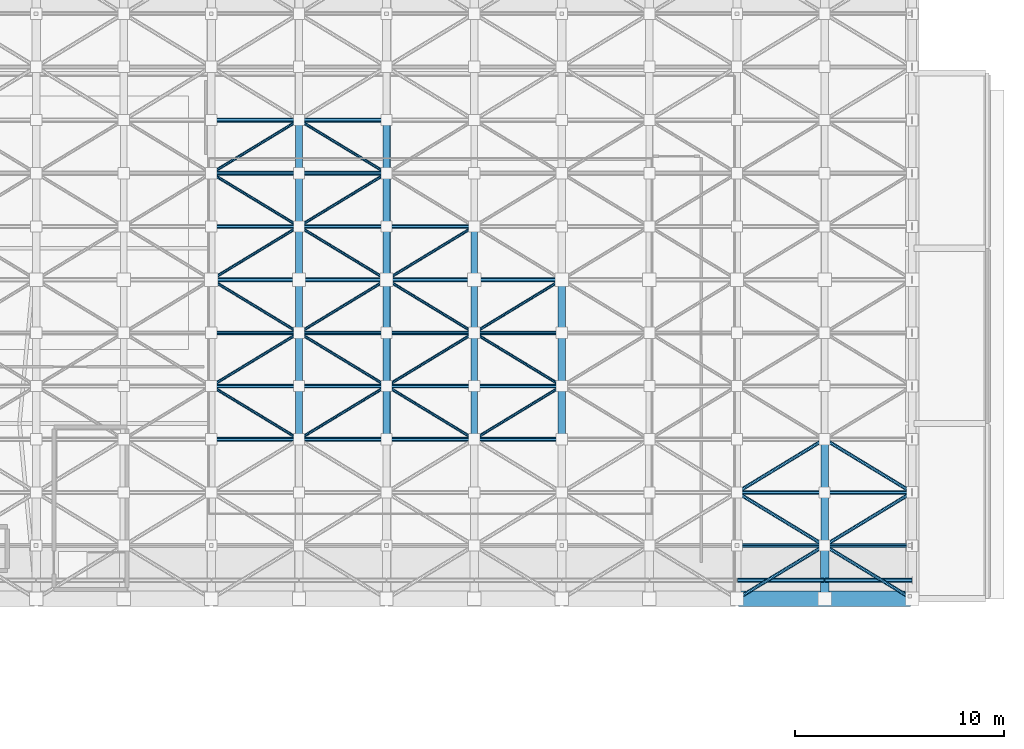
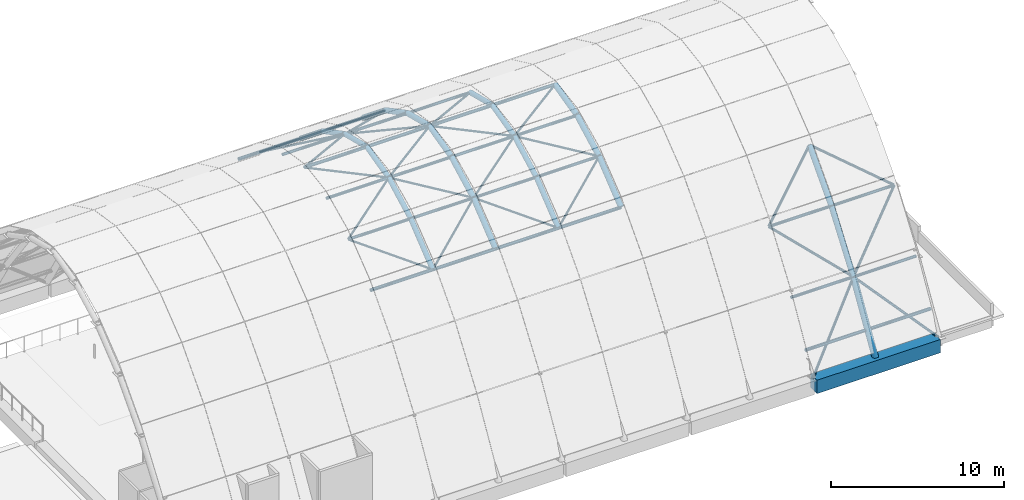
# One storey, part 34 of 128: 67 members, 10 beams.
"""IFC4 building model written with IfcOpenShell, lengths in metres."""

import ifcopenshell
import ifcopenshell.guid

model = None  # the IFC model being written
_history = None  # IfcOwnerHistory: only IFC2X3 demands one
_inside = {}  # id of a spatial element -> (the spatial element, [elements in it])
_under = {}  # id of a project, library or spatial element -> (it, [spatial elements below it])
_declared = {}  # id of a project -> (the project, [libraries it declares])
_typed = {}  # id of a type object -> (the type object, [elements of that type])
_made_of = {}  # id of a material, layer set ... -> (it, [elements and type objects made of it])


def new_model(schema):
    """Start an empty IFC model of exactly this schema.

    Asked for "IFC4X3", IfcOpenShell would pick the latest addendum, in which some entities
    have other attributes; the version numbers below select the first issue.
    IFC2X3 requires an IfcOwnerHistory on every rooted entity: one is made here for all.
    """
    global model, _history
    if schema == "IFC4X3":
        model = ifcopenshell.file(schema_version=(4, 3, 0, 0))
    else:
        model = ifcopenshell.file(schema=schema)
    _inside.clear()
    _under.clear()
    _declared.clear()
    _typed.clear()
    _made_of.clear()
    _history = None
    if model.schema == "IFC2X3":
        org = make("IfcOrganization", Name="unknown")
        user = make(
            "IfcPersonAndOrganization",
            ThePerson=make("IfcPerson", FamilyName="unknown"),
            TheOrganization=org,
        )
        app = make(
            "IfcApplication",
            ApplicationDeveloper=org,
            Version="unknown",
            ApplicationFullName="unknown",
            ApplicationIdentifier="unknown",
        )
        _history = make(
            "IfcOwnerHistory",
            OwningUser=user,
            OwningApplication=app,
            ChangeAction="ADDED",
            CreationDate=0,
        )
    return model


def make(cls, **values):
    """One entity of the class cls with the attributes given. An attribute that is None is left unset."""
    return model.create_entity(
        cls, **{name: value for name, value in values.items() if value is not None}
    )


def rooted(cls, **values):
    """An entity with a GlobalId (a new one), such as an element, a storey or a relation."""
    return make(cls, GlobalId=ifcopenshell.guid.new(), OwnerHistory=_history, **values)


def si_unit(unit_type, name, prefix=None):
    """IfcSIUnit, for example si_unit("LENGTHUNIT", "METRE", prefix="MILLI")."""
    return make("IfcSIUnit", UnitType=unit_type, Prefix=prefix, Name=name)


def assignment(units):
    """IfcUnitAssignment: the units of a project."""
    return None if units is None else make("IfcUnitAssignment", Units=units)


def point(xyz):
    """IfcCartesianPoint."""
    return None if xyz is None else make("IfcCartesianPoint", Coordinates=xyz)


def direction(xyz):
    """IfcDirection."""
    return None if xyz is None else make("IfcDirection", DirectionRatios=xyz)


def frame(location, z_axis=None, x_axis=None):
    """IfcAxis2Placement3D, a coordinate frame: its origin and axes. An axis left out is left unset."""
    return make(
        "IfcAxis2Placement3D",
        Location=point(location),
        Axis=direction(z_axis),
        RefDirection=direction(x_axis),
    )


def frame_2d(location, x_axis=None):
    """IfcAxis2Placement2D, a coordinate frame in the plane: its origin and x axis."""
    return make(
        "IfcAxis2Placement2D", Location=point(location), RefDirection=direction(x_axis)
    )


def origin():
    """The frame at (0, 0, 0) with its axes left unset."""
    return frame((0.0, 0.0, 0.0))


def origin_2d():
    """The frame at (0, 0) in the plane with its x axis left unset."""
    return frame_2d((0.0, 0.0))


def place(relative_to, where):
    """IfcLocalPlacement: puts the frame where relative to a parent placement (None: the world)."""
    return make(
        "IfcLocalPlacement", PlacementRelTo=relative_to, RelativePlacement=where
    )


def context(
    kind, dimensions, precision=None, world=None, true_north=None, identifier=None
):
    """IfcGeometricRepresentationContext, for example the 3D "Model" context."""
    return make(
        "IfcGeometricRepresentationContext",
        ContextIdentifier=identifier,
        ContextType=kind,
        CoordinateSpaceDimension=dimensions,
        Precision=precision,
        WorldCoordinateSystem=world,
        TrueNorth=true_north,
    )


def subcontext(parent, identifier, kind, view, scale=None):
    """IfcGeometricRepresentationSubContext, for example "Body" below "Model"."""
    return make(
        "IfcGeometricRepresentationSubContext",
        ContextIdentifier=identifier,
        ContextType=kind,
        ParentContext=parent,
        TargetScale=scale,
        TargetView=view,
    )


def project(units=None, contexts=None):
    """IfcProject with its units and contexts."""
    return rooted(
        "IfcProject",
        Name="project",
        RepresentationContexts=contexts,
        UnitsInContext=assignment(units),
    )


def spatial(cls, under=None, at=None, **own):
    """A site, building, storey or space (cls), placed at a placement, below another one or the project."""
    s = rooted(cls, ObjectPlacement=at, **own)
    if under is not None:
        _under.setdefault(under.id(), (under, []))[1].append(s)
    return s


def profile(cls, at=None, kind="AREA", **sizes):
    """A parametric profile (cls). Its sizes go by their IFC names, for example OverallWidth=200.0."""
    return make(cls, ProfileType=kind, Position=at, **sizes)


def rectangle(**sizes):
    """IfcRectangleProfileDef."""
    return profile("IfcRectangleProfileDef", **sizes)


def hollow_circle(**sizes):
    """IfcCircleHollowProfileDef."""
    return profile("IfcCircleHollowProfileDef", **sizes)


def extrude(swept, where, along, depth):
    """IfcExtrudedAreaSolid: the profile swept, set in the frame where, extruded along a direction by depth."""
    return make(
        "IfcExtrudedAreaSolid",
        SweptArea=swept,
        Position=where,
        ExtrudedDirection=direction(along),
        Depth=depth,
    )


def shape(context_of_items, identifier, shape_type, items):
    """IfcShapeRepresentation: the items that make up one representation, for example the "Body"."""
    return make(
        "IfcShapeRepresentation",
        ContextOfItems=context_of_items,
        RepresentationIdentifier=identifier,
        RepresentationType=shape_type,
        Items=items,
    )


def material(Name=None, Category=None):
    """IfcMaterial."""
    return make("IfcMaterial", Name=Name, Category=Category)


def material_profile(
    of_material, cross_section, Name=None, Category=None, Priority=None
):
    """IfcMaterialProfile: a cross section and its material."""
    return make(
        "IfcMaterialProfile",
        Name=Name,
        Material=of_material,
        Profile=cross_section,
        Priority=Priority,
        Category=Category,
    )


def profile_set(profiles, Name=None, composite=None):
    """IfcMaterialProfileSet."""
    return make(
        "IfcMaterialProfileSet",
        Name=Name,
        MaterialProfiles=profiles,
        CompositeProfile=composite,
    )


def made_of(thing, what):
    """Note that an element or type object is made of a material, layer set ...; save() writes the relation."""
    if what is not None:
        _made_of.setdefault(what.id(), (what, []))[1].append(thing)
    return thing


def type_object(cls, material=None, **own):
    """A type object (cls), such as IfcWallType, which elements share."""
    return made_of(rooted(cls, **own), material)


def element(
    cls,
    number,
    at=None,
    inside=None,
    cuts=None,
    type_object=None,
    material=None,
    context=None,
    identifier="Body",
    shape_type=None,
    held_by="IfcProductDefinitionShape",
    body=None,
    shapes=None,
    **own,
):
    """One element of the class cls, such as IfcWall. Its Tag is "e" and its number.

    at: its placement. inside: the storey or other place that contains it. cuts: it is an
    opening in that element (IfcRelVoidsElement). A single representation is given by context,
    identifier, shape_type and body (its items); several are given by shapes. held_by: the class
    of the entity that holds the representations. save() writes the other relations.
    """
    e = rooted(cls, Tag="e%d" % number, ObjectPlacement=at, **own)
    if body is not None:
        shapes = [shape(context, identifier, shape_type, body)]
    if shapes is not None:
        e.Representation = make(held_by, Representations=shapes)
    if inside is not None:
        _inside.setdefault(inside.id(), (inside, []))[1].append(e)
    if cuts is not None:
        rooted(
            "IfcRelVoidsElement", RelatingBuildingElement=cuts, RelatedOpeningElement=e
        )
    if type_object is not None:
        _typed.setdefault(type_object.id(), (type_object, []))[1].append(e)
    return made_of(e, material)


def aggregate(whole, parts):
    """IfcRelAggregates: a whole, such as a stair, and the parts it consists of."""
    return rooted("IfcRelAggregates", RelatingObject=whole, RelatedObjects=parts)


def save(model, path):
    """Write the relations noted so far, then the file.

    IfcRelAggregates (storeys below a building ...), IfcRelContainedInSpatialStructure (elements
    in a storey), IfcRelDefinesByType, IfcRelAssociatesMaterial and IfcRelDeclares: one each for
    every whole, place, type object, material and project.
    """
    for whole, parts in _under.values():
        aggregate(whole, parts)
    for where, things in _inside.values():
        rooted(
            "IfcRelContainedInSpatialStructure",
            RelatedElements=things,
            RelatingStructure=where,
        )
    for kind, things in _typed.values():
        rooted("IfcRelDefinesByType", RelatedObjects=things, RelatingType=kind)
    for what, things in _made_of.values():
        rooted("IfcRelAssociatesMaterial", RelatedObjects=things, RelatingMaterial=what)
    for by, libraries in _declared.values():
        rooted("IfcRelDeclares", RelatingContext=by, RelatedDefinitions=libraries)
    model.write(path)


model = new_model("IFC4")

# Units and contexts
model_context = context("Model", 3, precision=1e-05, world=origin(), true_north=direction((0.0, 1.0)))
body_context = subcontext(model_context, "Body", "Model", "MODEL_VIEW")
ifc_project = project(units=[si_unit("LENGTHUNIT", "METRE"), si_unit("AREAUNIT", "SQUARE_METRE"), si_unit("VOLUMEUNIT", "CUBIC_METRE"), si_unit("PLANEANGLEUNIT", "RADIAN"), si_unit("MASSUNIT", "GRAM", prefix="KILO")], contexts=[model_context])

# Site, building, storey
site_placement = place(None, origin())
site = spatial("IfcSite", under=ifc_project, at=site_placement, CompositionType="ELEMENT")
building_placement = place(site_placement, origin())
building = spatial("IfcBuilding", under=site, at=building_placement, Name="Telukmera Botanical Conservatory", CompositionType="ELEMENT")
storey_placement = place(building_placement, frame((0.0, 0.0, 5.39990234375)))
storey = spatial("IfcBuildingStorey", under=building, at=storey_placement, Name="L01", CompositionType="ELEMENT", Elevation=5.39990234375)

# Beams
ifc_material_1 = material(Name="Steel S355", Category="steel")
ifc_material_profile_1 = material_profile(ifc_material_1, hollow_circle(Radius=0.177734375, WallThickness=0.012451171875, at=origin_2d()), Name="CHS 355.6x12.5")
ifc_profile_set_1 = profile_set([ifc_material_profile_1], Name="Steel S355")
beam_type_1 = type_object("IfcBeamType", Name="Beam_GA2", PredefinedType="BEAM", material=ifc_profile_set_1)
beam_1_placement = place(storey_placement, frame((142.800048828125, 25.265625, 10.3583984375), z_axis=(0.0, 0.77797662105, 0.628293225413), x_axis=(-1.0, 0.0, 0.0)))
element("IfcBeam", 1, at=beam_1_placement, inside=storey, type_object=beam_type_1, Name="Conservatory Gridshell Primary Arch Rib A06-03", PredefinedType="BEAM", context=body_context, shape_type="SweptSolid", body=[
    extrude(hollow_circle(Radius=0.177734375, WallThickness=0.012451171875, at=origin_2d()), origin(), (0.0, 0.0, 1.0), 3.237548828125),
])
beam_2_placement = place(storey_placement, frame((142.800048828125, 27.817626953125, 12.41455078125), z_axis=(0.0, 0.883608393745, 0.468226661462), x_axis=(-1.0, 0.0, 0.0)))
element("IfcBeam", 2, at=beam_2_placement, inside=storey, type_object=beam_type_1, Name="Conservatory Gridshell Primary Arch Rib A06-04", PredefinedType="BEAM", context=body_context, shape_type="SweptSolid", body=[
    extrude(hollow_circle(Radius=0.177734375, WallThickness=0.012451171875, at=origin_2d()), origin(), (0.0, 0.0, 1.0), 2.845947265625),
])
for number, where, z_axis, x_axis, name in (
    (3, (142.800048828125, 30.369384765625, 13.761474609375), (0.0, 0.969596662505, 0.244708626858), (-1.0, 0.0, 0.0), "Conservatory Gridshell Primary Arch Rib A06-05"),
    (4, (142.800048828125, 32.91943359375, 14.395263671875), (0.0, 0.969596662505, -0.244708626858), (-1.0, 0.0, 0.0), "Conservatory Gridshell Primary Arch Rib A06-06"),
):
    element("IfcBeam", number, at=place(storey_placement, frame(where, z_axis=z_axis, x_axis=x_axis)), inside=storey, type_object=beam_type_1, Name=name, PredefinedType="BEAM", context=body_context, shape_type="SweptSolid", body=[
        extrude(hollow_circle(Radius=0.177734375, WallThickness=0.012451171875, at=origin_2d()), origin(), (0.0, 0.0, 1.0), 2.590087890625),
    ])
beam_3_placement = place(storey_placement, frame((142.800048828125, 35.4677734375, 13.7470703125), z_axis=(0.0, 0.883608393745, -0.468226661462), x_axis=(-1.0, 0.0, 0.0)))
element("IfcBeam", 5, at=beam_3_placement, inside=storey, type_object=beam_type_1, Name="Conservatory Gridshell Primary Arch Rib A06-07", PredefinedType="BEAM", context=body_context, shape_type="SweptSolid", body=[
    extrude(hollow_circle(Radius=0.177734375, WallThickness=0.012451171875, at=origin_2d()), origin(), (0.0, 0.0, 1.0), 2.845947265625),
])
for number, where, z_axis, x_axis, name in (
    (6, (142.800048828125, 38.015625, 12.392578125), (0.0, 0.77797662105, -0.628293225413), (-1.0, 0.0, 0.0), "Conservatory Gridshell Primary Arch Rib A06-08"),
    (7, (151.199951171875, 25.265625, 10.3583984375), (0.0, 0.77797662105, 0.628293225413), (-1.0, 0.0, 0.0), "Conservatory Gridshell Primary Arch Rib A08-03"),
):
    element("IfcBeam", number, at=place(storey_placement, frame(where, z_axis=z_axis, x_axis=x_axis)), inside=storey, type_object=beam_type_1, Name=name, PredefinedType="BEAM", context=body_context, shape_type="SweptSolid", body=[
        extrude(hollow_circle(Radius=0.177734375, WallThickness=0.012451171875, at=origin_2d()), origin(), (0.0, 0.0, 1.0), 3.237548828125),
    ])
beam_4_placement = place(storey_placement, frame((151.199951171875, 27.817626953125, 12.41455078125), z_axis=(0.0, 0.883608393745, 0.468226661462), x_axis=(-1.0, 0.0, 0.0)))
element("IfcBeam", 8, at=beam_4_placement, inside=storey, type_object=beam_type_1, Name="Conservatory Gridshell Primary Arch Rib A08-04", PredefinedType="BEAM", context=body_context, shape_type="SweptSolid", body=[
    extrude(hollow_circle(Radius=0.177734375, WallThickness=0.012451171875, at=origin_2d()), origin(), (0.0, 0.0, 1.0), 2.845947265625),
])
beam_5_placement = place(storey_placement, frame((151.199951171875, 30.369384765625, 13.761474609375), z_axis=(0.0, 0.969596662505, 0.244708626858), x_axis=(-1.0, 0.0, 0.0)))
element("IfcBeam", 9, at=beam_5_placement, inside=storey, type_object=beam_type_1, Name="Conservatory Gridshell Primary Arch Rib A08-05", PredefinedType="BEAM", context=body_context, shape_type="SweptSolid", body=[
    extrude(hollow_circle(Radius=0.177734375, WallThickness=0.012451171875, at=origin_2d()), origin(), (0.0, 0.0, 1.0), 2.590087890625),
])
ifc_material_2 = material(Name="Concrete C40/50", Category="concrete")
ifc_material_profile_2 = material_profile(ifc_material_2, rectangle(XDim=0.75, YDim=0.949951171875, at=origin_2d()), Name="RC 750x950")
ifc_profile_set_2 = profile_set([ifc_material_profile_2], Name="Concrete C40/50")
beam_type_2 = type_object("IfcBeamType", Name="Beam_RB1", PredefinedType="BEAM", material=ifc_profile_set_2)
beam_6_placement = place(storey_placement, frame((159.679931640625, 17.60009765625, -0.474853515625), z_axis=(1.0, 0.0, 0.0), x_axis=(0.0, 1.0, 0.0)))
element("IfcBeam", 10, at=beam_6_placement, inside=storey, type_object=beam_type_2, Name="Conservatory Beam beam:V1:L01:rb_x:176:1596", PredefinedType="BEAM", context=body_context, shape_type="SweptSolid", body=[
    extrude(rectangle(XDim=0.75, YDim=0.949951171875, at=origin_2d()), origin(), (0.0, 0.0, 1.0), 8.239990234375),
])

# Members
ifc_material_profile_3 = material_profile(ifc_material_1, hollow_circle(Radius=0.084228515625, WallThickness=0.008056640625, at=origin_2d()), Name="CHS 168.3x8.0")
ifc_profile_set_3 = profile_set([ifc_material_profile_3], Name="Steel S355")
member_type_1 = type_object("IfcMemberType", Name="Mem_GBX1", PredefinedType="USERDEFINED", material=ifc_profile_set_3)
member_1_placement = place(storey_placement, frame((159.60009765625, 17.60009765625, -0.079833984375), z_axis=(0.650865922771, 0.395153697796, 0.648249262008), x_axis=(-0.518963837977, 0.854796194933, 0.0)))
element("IfcMember", 11, at=member_1_placement, inside=storey, type_object=member_type_1, Name="Conservatory Gridshell Diagrid Lacing Rib D10-00", ObjectType="GRIDSHELL_RIB", PredefinedType="USERDEFINED", context=body_context, shape_type="SweptSolid", body=[
    extrude(hollow_circle(Radius=0.084228515625, WallThickness=0.008056640625, at=origin_2d()), origin(), (0.0, 0.0, 1.0), 6.437744140625),
])
member_2_placement = place(storey_placement, frame((163.78955078125, 20.156494140625, 4.11181640625), z_axis=(-0.697882692567, 0.423695562374, 0.577444211885), x_axis=(-0.518961193204, -0.854797800622, 0.0)))
element("IfcMember", 12, at=member_2_placement, inside=storey, type_object=member_type_1, Name="Conservatory Gridshell Diagrid Lacing Rib D10-01", ObjectType="GRIDSHELL_RIB", PredefinedType="USERDEFINED", context=body_context, shape_type="SweptSolid", body=[
    extrude(hollow_circle(Radius=0.084228515625, WallThickness=0.008056640625, at=origin_2d()), origin(), (0.0, 0.0, 1.0), 5.988037109375),
])
member_3_placement = place(storey_placement, frame((159.611083984375, 22.706787109375, 7.585693359375), z_axis=(0.744790622778, 0.452175653345, 0.49073832818), x_axis=(-0.518962491813, 0.854797012215, 0.0)))
element("IfcMember", 13, at=member_3_placement, inside=storey, type_object=member_type_1, Name="Conservatory Gridshell Diagrid Lacing Rib D10-02", ObjectType="GRIDSHELL_RIB", PredefinedType="USERDEFINED", context=body_context, shape_type="SweptSolid", body=[
    extrude(hollow_circle(Radius=0.084228515625, WallThickness=0.008056640625, at=origin_2d()), origin(), (0.0, 0.0, 1.0), 5.609375),
])
member_4_placement = place(storey_placement, frame((168.0, 17.60009765625, -0.079833984375), z_axis=(-0.650865922771, 0.395153697796, 0.648249262008), x_axis=(-0.518963837977, -0.854796194933, 0.0)))
element("IfcMember", 14, at=member_4_placement, inside=storey, type_object=member_type_1, Name="Conservatory Gridshell Diagrid Lacing Rib D11-00", ObjectType="GRIDSHELL_RIB", PredefinedType="USERDEFINED", context=body_context, shape_type="SweptSolid", body=[
    extrude(hollow_circle(Radius=0.084228515625, WallThickness=0.008056640625, at=origin_2d()), origin(), (0.0, 0.0, 1.0), 6.437744140625),
])
member_5_placement = place(storey_placement, frame((163.810546875, 20.156494140625, 4.11181640625), z_axis=(0.697882692567, 0.423695562374, 0.577444211885), x_axis=(-0.518961193204, 0.854797800622, 0.0)))
element("IfcMember", 15, at=member_5_placement, inside=storey, type_object=member_type_1, Name="Conservatory Gridshell Diagrid Lacing Rib D11-01", ObjectType="GRIDSHELL_RIB", PredefinedType="USERDEFINED", context=body_context, shape_type="SweptSolid", body=[
    extrude(hollow_circle(Radius=0.084228515625, WallThickness=0.008056640625, at=origin_2d()), origin(), (0.0, 0.0, 1.0), 5.988037109375),
])
member_6_placement = place(storey_placement, frame((167.98876953125, 22.706787109375, 7.585693359375), z_axis=(-0.74477124096, 0.452190311632, 0.490754236563), x_axis=(-0.518984652148, -0.854783557888, 0.0)))
element("IfcMember", 16, at=member_6_placement, inside=storey, type_object=member_type_1, Name="Conservatory Gridshell Diagrid Lacing Rib D11-02", ObjectType="GRIDSHELL_RIB", PredefinedType="USERDEFINED", context=body_context, shape_type="SweptSolid", body=[
    extrude(hollow_circle(Radius=0.084228515625, WallThickness=0.008056640625, at=origin_2d()), origin(), (0.0, 0.0, 1.0), 5.609130859375),
])
ifc_material_profile_4 = material_profile(ifc_material_1, hollow_circle(Radius=0.06982421875, WallThickness=0.00634765625, at=origin_2d()), Name="CHS 139.7x6.3")
ifc_profile_set_4 = profile_set([ifc_material_profile_4], Name="Steel S355")
member_type_2 = type_object("IfcMemberType", Name="Mem_GBX2", PredefinedType="USERDEFINED", material=ifc_profile_set_4)
member_7_placement = place(storey_placement, frame((138.588134765625, 25.257080078125, 10.3515625), z_axis=(-0.788334461594, 0.478641512809, 0.386563162858), x_axis=(-0.518985958004, -0.854782765031, 0.0)))
element("IfcMember", 17, at=member_7_placement, inside=storey, type_object=member_type_2, Name="Conservatory Gridshell Diagrid Lacing Rib D04-03", ObjectType="GRIDSHELL_RIB", PredefinedType="USERDEFINED", context=body_context, shape_type="SweptSolid", body=[
    extrude(hollow_circle(Radius=0.06982421875, WallThickness=0.00634765625, at=origin_2d()), origin(), (0.0, 0.0, 1.0), 5.297607421875),
])
member_8_placement = place(storey_placement, frame((134.412353515625, 27.8076171875, 12.4091796875), z_axis=(0.824197942407, 0.500388681792, 0.265158290207), x_axis=(-0.518965091298, 0.854795434016, 0.0)))
element("IfcMember", 18, at=member_8_placement, inside=storey, type_object=member_type_2, Name="Conservatory Gridshell Diagrid Lacing Rib D04-04", ObjectType="GRIDSHELL_RIB", PredefinedType="USERDEFINED", context=body_context, shape_type="SweptSolid", body=[
    extrude(hollow_circle(Radius=0.06982421875, WallThickness=0.00634765625, at=origin_2d()), origin(), (0.0, 0.0, 1.0), 5.06591796875),
])
for number, where, z_axis, x_axis, name in (
    (19, (138.58740234375, 30.357666015625, 13.75830078125), (-0.847547266663, 0.51457518845, 0.129907683387), (-0.518972916498, -0.854790683116, 0.0), "Conservatory Gridshell Diagrid Lacing Rib D04-05"),
    (20, (134.41259765625, 32.90771484375, 14.398193359375), (0.847547266663, 0.51457518845, -0.129907683387), (-0.518972916498, 0.854790683116, 0.0), "Conservatory Gridshell Diagrid Lacing Rib D04-06"),
):
    element("IfcMember", number, at=place(storey_placement, frame(where, z_axis=z_axis, x_axis=x_axis)), inside=storey, type_object=member_type_2, Name=name, ObjectType="GRIDSHELL_RIB", PredefinedType="USERDEFINED", context=body_context, shape_type="SweptSolid", body=[
        extrude(hollow_circle(Radius=0.06982421875, WallThickness=0.00634765625, at=origin_2d()), origin(), (0.0, 0.0, 1.0), 4.92578125),
    ])
member_9_placement = place(storey_placement, frame((138.587646484375, 35.45751953125, 13.75244140625), z_axis=(-0.824197942407, 0.500388681792, -0.265158290207), x_axis=(-0.518965091298, -0.854795434016, 0.0)))
element("IfcMember", 21, at=member_9_placement, inside=storey, type_object=member_type_2, Name="Conservatory Gridshell Diagrid Lacing Rib D04-07", ObjectType="GRIDSHELL_RIB", PredefinedType="USERDEFINED", context=body_context, shape_type="SweptSolid", body=[
    extrude(hollow_circle(Radius=0.06982421875, WallThickness=0.00634765625, at=origin_2d()), origin(), (0.0, 0.0, 1.0), 5.06591796875),
])
for number, where, z_axis, x_axis, name in (
    (22, (134.411865234375, 38.007080078125, 12.3994140625), (0.788334461594, 0.478641512809, -0.386563162858), (-0.518985958004, 0.854782765031, 0.0), "Conservatory Gridshell Diagrid Lacing Rib D04-08"),
    (23, (138.61181640625, 25.257080078125, 10.3515625), (0.788334461594, 0.478641512809, 0.386563162858), (-0.518985958004, 0.854782765031, 0.0), "Conservatory Gridshell Diagrid Lacing Rib D05-03"),
):
    element("IfcMember", number, at=place(storey_placement, frame(where, z_axis=z_axis, x_axis=x_axis)), inside=storey, type_object=member_type_2, Name=name, ObjectType="GRIDSHELL_RIB", PredefinedType="USERDEFINED", context=body_context, shape_type="SweptSolid", body=[
        extrude(hollow_circle(Radius=0.06982421875, WallThickness=0.00634765625, at=origin_2d()), origin(), (0.0, 0.0, 1.0), 5.297607421875),
    ])
member_10_placement = place(storey_placement, frame((142.78759765625, 27.8076171875, 12.4091796875), z_axis=(-0.824197942407, 0.500388681792, 0.265158290207), x_axis=(-0.518965091298, -0.854795434016, 0.0)))
element("IfcMember", 24, at=member_10_placement, inside=storey, type_object=member_type_2, Name="Conservatory Gridshell Diagrid Lacing Rib D05-04", ObjectType="GRIDSHELL_RIB", PredefinedType="USERDEFINED", context=body_context, shape_type="SweptSolid", body=[
    extrude(hollow_circle(Radius=0.06982421875, WallThickness=0.00634765625, at=origin_2d()), origin(), (0.0, 0.0, 1.0), 5.06591796875),
])
for number, where, z_axis, x_axis, name in (
    (25, (138.61279296875, 30.357666015625, 13.75830078125), (0.84753330536, 0.514596805442, 0.12991314073), (-0.518995092501, 0.854777218905, 0.0), "Conservatory Gridshell Diagrid Lacing Rib D05-05"),
    (26, (142.787353515625, 32.90771484375, 14.398193359375), (-0.84753330536, 0.514596805442, -0.12991314073), (-0.518995092501, -0.854777218905, 0.0), "Conservatory Gridshell Diagrid Lacing Rib D05-06"),
):
    element("IfcMember", number, at=place(storey_placement, frame(where, z_axis=z_axis, x_axis=x_axis)), inside=storey, type_object=member_type_2, Name=name, ObjectType="GRIDSHELL_RIB", PredefinedType="USERDEFINED", context=body_context, shape_type="SweptSolid", body=[
        extrude(hollow_circle(Radius=0.06982421875, WallThickness=0.00634765625, at=origin_2d()), origin(), (0.0, 0.0, 1.0), 4.925537109375),
    ])
member_11_placement = place(storey_placement, frame((138.6123046875, 35.45751953125, 13.75244140625), z_axis=(0.824197942407, 0.500388681792, -0.265158290207), x_axis=(-0.518965091298, 0.854795434016, 0.0)))
element("IfcMember", 27, at=member_11_placement, inside=storey, type_object=member_type_2, Name="Conservatory Gridshell Diagrid Lacing Rib D05-07", ObjectType="GRIDSHELL_RIB", PredefinedType="USERDEFINED", context=body_context, shape_type="SweptSolid", body=[
    extrude(hollow_circle(Radius=0.06982421875, WallThickness=0.00634765625, at=origin_2d()), origin(), (0.0, 0.0, 1.0), 5.06591796875),
])
member_12_placement = place(storey_placement, frame((142.7880859375, 38.007080078125, 12.3994140625), z_axis=(-0.788334461594, 0.478641512809, -0.386563162858), x_axis=(-0.518985958004, -0.854782765031, 0.0)))
element("IfcMember", 28, at=member_12_placement, inside=storey, type_object=member_type_2, Name="Conservatory Gridshell Diagrid Lacing Rib D05-08", ObjectType="GRIDSHELL_RIB", PredefinedType="USERDEFINED", context=body_context, shape_type="SweptSolid", body=[
    extrude(hollow_circle(Radius=0.06982421875, WallThickness=0.00634765625, at=origin_2d()), origin(), (0.0, 0.0, 1.0), 5.297607421875),
])
member_13_placement = place(storey_placement, frame((146.98828125, 25.257080078125, 10.3515625), z_axis=(-0.788351905241, 0.478624123916, 0.386549119142), x_axis=(-0.518963791177, -0.854796223346, 0.0)))
element("IfcMember", 29, at=member_13_placement, inside=storey, type_object=member_type_2, Name="Conservatory Gridshell Diagrid Lacing Rib D06-03", ObjectType="GRIDSHELL_RIB", PredefinedType="USERDEFINED", context=body_context, shape_type="SweptSolid", body=[
    extrude(hollow_circle(Radius=0.06982421875, WallThickness=0.00634765625, at=origin_2d()), origin(), (0.0, 0.0, 1.0), 5.2978515625),
])
member_14_placement = place(storey_placement, frame((142.8125, 27.8076171875, 12.4091796875), z_axis=(0.824182486076, 0.50040855815, 0.265168822782), x_axis=(-0.51898726462, 0.854781971711, 0.0)))
element("IfcMember", 30, at=member_14_placement, inside=storey, type_object=member_type_2, Name="Conservatory Gridshell Diagrid Lacing Rib D06-04", ObjectType="GRIDSHELL_RIB", PredefinedType="USERDEFINED", context=body_context, shape_type="SweptSolid", body=[
    extrude(hollow_circle(Radius=0.06982421875, WallThickness=0.00634765625, at=origin_2d()), origin(), (0.0, 0.0, 1.0), 5.065673828125),
])
for number, where, z_axis, x_axis, name in (
    (31, (146.9873046875, 30.357666015625, 13.75830078125), (-0.84753330536, 0.514596805442, 0.12991314073), (-0.518995092501, -0.854777218905, 0.0), "Conservatory Gridshell Diagrid Lacing Rib D06-05"),
    (32, (142.812744140625, 32.90771484375, 14.398193359375), (0.84753330536, 0.514596805442, -0.12991314073), (-0.518995092501, 0.854777218905, 0.0), "Conservatory Gridshell Diagrid Lacing Rib D06-06"),
):
    element("IfcMember", number, at=place(storey_placement, frame(where, z_axis=z_axis, x_axis=x_axis)), inside=storey, type_object=member_type_2, Name=name, ObjectType="GRIDSHELL_RIB", PredefinedType="USERDEFINED", context=body_context, shape_type="SweptSolid", body=[
        extrude(hollow_circle(Radius=0.06982421875, WallThickness=0.00634765625, at=origin_2d()), origin(), (0.0, 0.0, 1.0), 4.925537109375),
    ])
member_15_placement = place(storey_placement, frame((147.01171875, 25.257080078125, 10.3515625), z_axis=(0.788351905241, 0.478624123916, 0.386549119142), x_axis=(-0.518963791177, 0.854796223346, 0.0)))
element("IfcMember", 33, at=member_15_placement, inside=storey, type_object=member_type_2, Name="Conservatory Gridshell Diagrid Lacing Rib D07-03", ObjectType="GRIDSHELL_RIB", PredefinedType="USERDEFINED", context=body_context, shape_type="SweptSolid", body=[
    extrude(hollow_circle(Radius=0.06982421875, WallThickness=0.00634765625, at=origin_2d()), origin(), (0.0, 0.0, 1.0), 5.2978515625),
])
member_16_placement = place(storey_placement, frame((151.1875, 27.8076171875, 12.4091796875), z_axis=(-0.824182486076, 0.50040855815, 0.265168822782), x_axis=(-0.51898726462, -0.854781971711, 0.0)))
element("IfcMember", 34, at=member_16_placement, inside=storey, type_object=member_type_2, Name="Conservatory Gridshell Diagrid Lacing Rib D07-04", ObjectType="GRIDSHELL_RIB", PredefinedType="USERDEFINED", context=body_context, shape_type="SweptSolid", body=[
    extrude(hollow_circle(Radius=0.06982421875, WallThickness=0.00634765625, at=origin_2d()), origin(), (0.0, 0.0, 1.0), 5.065673828125),
])
member_17_placement = place(storey_placement, frame((147.0126953125, 30.357666015625, 13.75830078125), z_axis=(0.84753330536, 0.514596805442, 0.12991314073), x_axis=(-0.518995092501, 0.854777218905, 0.0)))
element("IfcMember", 35, at=member_17_placement, inside=storey, type_object=member_type_2, Name="Conservatory Gridshell Diagrid Lacing Rib D07-05", ObjectType="GRIDSHELL_RIB", PredefinedType="USERDEFINED", context=body_context, shape_type="SweptSolid", body=[
    extrude(hollow_circle(Radius=0.06982421875, WallThickness=0.00634765625, at=origin_2d()), origin(), (0.0, 0.0, 1.0), 4.925537109375),
])
ifc_material_profile_5 = material_profile(ifc_material_1, hollow_circle(Radius=0.203125, WallThickness=0.01611328125, at=origin_2d()), Name="CHS 406.4x16.0")
ifc_profile_set_5 = profile_set([ifc_material_profile_5], Name="Steel S355")
member_type_3 = type_object("IfcMemberType", Name="Mem_GM1", PredefinedType="USERDEFINED", material=ifc_profile_set_5)
member_18_placement = place(storey_placement, frame((163.800048828125, 17.60009765625, -0.079833984375), z_axis=(0.0, 0.5205024389, 0.853860182406), x_axis=(-1.0, 0.0, 0.0)))
element("IfcMember", 36, at=member_18_placement, inside=storey, type_object=member_type_3, Name="Conservatory Gridshell Arch Segment A11-00", ObjectType="ARCH_SEGMENT", PredefinedType="USERDEFINED", context=body_context, shape_type="SweptSolid", body=[
    extrude(hollow_circle(Radius=0.203125, WallThickness=0.01611328125, at=origin_2d()), origin(), (0.0, 0.0, 1.0), 4.879150390625),
])
ifc_material_profile_6 = material_profile(ifc_material_1, hollow_circle(Radius=0.177734375, WallThickness=0.012451171875, at=origin_2d()), Name="CHS 355.6x12.5")
ifc_profile_set_6 = profile_set([ifc_material_profile_6], Name="Steel S355")
member_type_4 = type_object("IfcMemberType", Name="Mem_GM2", PredefinedType="USERDEFINED", material=ifc_profile_set_6)
member_19_placement = place(storey_placement, frame((163.800048828125, 20.161865234375, 4.119384765625), z_axis=(0.0, 0.591606531355, 0.806226836603), x_axis=(-1.0, 0.0, 0.0)))
element("IfcMember", 37, at=member_19_placement, inside=storey, type_object=member_type_4, Name="Conservatory Gridshell Arch Segment A11-01", ObjectType="ARCH_SEGMENT", PredefinedType="USERDEFINED", context=body_context, shape_type="SweptSolid", body=[
    extrude(hollow_circle(Radius=0.177734375, WallThickness=0.012451171875, at=origin_2d()), origin(), (0.0, 0.0, 1.0), 4.270263671875),
])
member_20_placement = place(storey_placement, frame((163.800048828125, 22.713623046875, 7.593017578125), z_axis=(0.0, 0.677596185256, 0.7354341641), x_axis=(-1.0, 0.0, 0.0)))
element("IfcMember", 38, at=member_20_placement, inside=storey, type_object=member_type_4, Name="Conservatory Gridshell Arch Segment A11-02", ObjectType="ARCH_SEGMENT", PredefinedType="USERDEFINED", context=body_context, shape_type="SweptSolid", body=[
    extrude(hollow_circle(Radius=0.177734375, WallThickness=0.012451171875, at=origin_2d()), origin(), (0.0, 0.0, 1.0), 3.722900390625),
])
ifc_material_profile_7 = material_profile(ifc_material_1, hollow_circle(Radius=0.161865234375, WallThickness=0.012451171875, at=origin_2d()), Name="CHS 323.9x12.5")
ifc_profile_set_7 = profile_set([ifc_material_profile_7], Name="Steel S355")
member_type_5 = type_object("IfcMemberType", Name="Mem_GM3", PredefinedType="USERDEFINED", material=ifc_profile_set_7)
member_21_placement = place(storey_placement, frame((138.60009765625, 25.265625, 10.3583984375), z_axis=(0.0, 0.77797662105, 0.628293225413), x_axis=(-1.0, 0.0, 0.0)))
element("IfcMember", 39, at=member_21_placement, inside=storey, type_object=member_type_5, Name="Conservatory Gridshell Arch Segment A05-03", ObjectType="ARCH_SEGMENT", PredefinedType="USERDEFINED", context=body_context, shape_type="SweptSolid", body=[
    extrude(hollow_circle(Radius=0.161865234375, WallThickness=0.012451171875, at=origin_2d()), origin(), (0.0, 0.0, 1.0), 3.237548828125),
])
member_22_placement = place(storey_placement, frame((138.60009765625, 27.817626953125, 12.41455078125), z_axis=(0.0, 0.883608393745, 0.468226661462), x_axis=(-1.0, 0.0, 0.0)))
element("IfcMember", 40, at=member_22_placement, inside=storey, type_object=member_type_5, Name="Conservatory Gridshell Arch Segment A05-04", ObjectType="ARCH_SEGMENT", PredefinedType="USERDEFINED", context=body_context, shape_type="SweptSolid", body=[
    extrude(hollow_circle(Radius=0.161865234375, WallThickness=0.012451171875, at=origin_2d()), origin(), (0.0, 0.0, 1.0), 2.845947265625),
])
for number, where, z_axis, x_axis, name in (
    (41, (138.60009765625, 30.369384765625, 13.761474609375), (0.0, 0.969596662505, 0.244708626858), (-1.0, 0.0, 0.0), "Conservatory Gridshell Arch Segment A05-05"),
    (42, (138.60009765625, 32.91943359375, 14.395263671875), (0.0, 0.969596662505, -0.244708626858), (-1.0, 0.0, 0.0), "Conservatory Gridshell Arch Segment A05-06"),
):
    element("IfcMember", number, at=place(storey_placement, frame(where, z_axis=z_axis, x_axis=x_axis)), inside=storey, type_object=member_type_5, Name=name, ObjectType="ARCH_SEGMENT", PredefinedType="USERDEFINED", context=body_context, shape_type="SweptSolid", body=[
        extrude(hollow_circle(Radius=0.161865234375, WallThickness=0.012451171875, at=origin_2d()), origin(), (0.0, 0.0, 1.0), 2.590087890625),
    ])
member_23_placement = place(storey_placement, frame((138.60009765625, 35.4677734375, 13.7470703125), z_axis=(0.0, 0.883608393745, -0.468226661462), x_axis=(-1.0, 0.0, 0.0)))
element("IfcMember", 43, at=member_23_placement, inside=storey, type_object=member_type_5, Name="Conservatory Gridshell Arch Segment A05-07", ObjectType="ARCH_SEGMENT", PredefinedType="USERDEFINED", context=body_context, shape_type="SweptSolid", body=[
    extrude(hollow_circle(Radius=0.161865234375, WallThickness=0.012451171875, at=origin_2d()), origin(), (0.0, 0.0, 1.0), 2.845947265625),
])
for number, where, z_axis, x_axis, name in (
    (44, (138.60009765625, 38.015625, 12.392578125), (0.0, 0.77797662105, -0.628293225413), (-1.0, 0.0, 0.0), "Conservatory Gridshell Arch Segment A05-08"),
    (45, (147.0, 25.265625, 10.3583984375), (0.0, 0.77797662105, 0.628293225413), (-1.0, 0.0, 0.0), "Conservatory Gridshell Arch Segment A07-03"),
):
    element("IfcMember", number, at=place(storey_placement, frame(where, z_axis=z_axis, x_axis=x_axis)), inside=storey, type_object=member_type_5, Name=name, ObjectType="ARCH_SEGMENT", PredefinedType="USERDEFINED", context=body_context, shape_type="SweptSolid", body=[
        extrude(hollow_circle(Radius=0.161865234375, WallThickness=0.012451171875, at=origin_2d()), origin(), (0.0, 0.0, 1.0), 3.237548828125),
    ])
member_24_placement = place(storey_placement, frame((147.0, 27.817626953125, 12.41455078125), z_axis=(0.0, 0.883608393745, 0.468226661462), x_axis=(-1.0, 0.0, 0.0)))
element("IfcMember", 46, at=member_24_placement, inside=storey, type_object=member_type_5, Name="Conservatory Gridshell Arch Segment A07-04", ObjectType="ARCH_SEGMENT", PredefinedType="USERDEFINED", context=body_context, shape_type="SweptSolid", body=[
    extrude(hollow_circle(Radius=0.161865234375, WallThickness=0.012451171875, at=origin_2d()), origin(), (0.0, 0.0, 1.0), 2.845947265625),
])
for number, where, z_axis, x_axis, name in (
    (47, (147.0, 30.369384765625, 13.761474609375), (0.0, 0.969596662505, 0.244708626858), (-1.0, 0.0, 0.0), "Conservatory Gridshell Arch Segment A07-05"),
    (48, (147.0, 32.91943359375, 14.395263671875), (0.0, 0.969596662505, -0.244708626858), (-1.0, 0.0, 0.0), "Conservatory Gridshell Arch Segment A07-06"),
):
    element("IfcMember", number, at=place(storey_placement, frame(where, z_axis=z_axis, x_axis=x_axis)), inside=storey, type_object=member_type_5, Name=name, ObjectType="ARCH_SEGMENT", PredefinedType="USERDEFINED", context=body_context, shape_type="SweptSolid", body=[
        extrude(hollow_circle(Radius=0.161865234375, WallThickness=0.012451171875, at=origin_2d()), origin(), (0.0, 0.0, 1.0), 2.590087890625),
    ])
ifc_material_profile_8 = material_profile(ifc_material_1, hollow_circle(Radius=0.109619140625, WallThickness=0.010009765625, at=origin_2d()), Name="CHS 219.1x10.0")
ifc_profile_set_8 = profile_set([ifc_material_profile_8], Name="Steel S355")
member_type_6 = type_object("IfcMemberType", Name="Mem_GP1", PredefinedType="PURLIN", material=ifc_profile_set_8)
for number, where, z_axis, x_axis, name in (
    (49, (134.419921875, 25.25, 10.345703125), (1.0, 0.0, 0.0), (0.0, 1.0, 0.0), "Conservatory Gridshell Longitudinal Rib P04-03"),
    (50, (134.419921875, 32.89990234375, 14.400146484375), (1.0, 0.0, 0.0), (0.0, 1.0, 0.0), "Conservatory Gridshell Longitudinal Rib P04-06"),
    (51, (134.419921875, 40.550048828125, 10.345703125), (1.0, 0.0, 0.0), (0.0, 1.0, 0.0), "Conservatory Gridshell Longitudinal Rib P04-09"),
):
    element("IfcMember", number, at=place(storey_placement, frame(where, z_axis=z_axis, x_axis=x_axis)), inside=storey, type_object=member_type_6, Name=name, PredefinedType="PURLIN", context=body_context, shape_type="SweptSolid", body=[
        extrude(hollow_circle(Radius=0.109619140625, WallThickness=0.010009765625, at=origin_2d()), origin(), (0.0, 0.0, 1.0), 4.16015625),
    ])
for number, where, z_axis, x_axis, name in (
    (52, (138.6201171875, 25.25, 10.345703125), (1.0, 0.0, 0.0), (0.0, 1.0, 0.0), "Conservatory Gridshell Longitudinal Rib P05-03"),
    (53, (138.6201171875, 32.89990234375, 14.400146484375), (1.0, 0.0, 0.0), (0.0, 1.0, 0.0), "Conservatory Gridshell Longitudinal Rib P05-06"),
    (54, (138.6201171875, 40.550048828125, 10.345703125), (1.0, 0.0, 0.0), (0.0, 1.0, 0.0), "Conservatory Gridshell Longitudinal Rib P05-09"),
    (55, (142.820068359375, 25.25, 10.345703125), (1.0, 0.0, 0.0), (0.0, 1.0, 0.0), "Conservatory Gridshell Longitudinal Rib P06-03"),
    (56, (142.820068359375, 32.89990234375, 14.400146484375), (1.0, 0.0, 0.0), (0.0, 1.0, 0.0), "Conservatory Gridshell Longitudinal Rib P06-06"),
    (57, (147.02001953125, 25.25, 10.345703125), (1.0, 0.0, 0.0), (0.0, 1.0, 0.0), "Conservatory Gridshell Longitudinal Rib P07-03"),
    (58, (147.02001953125, 32.89990234375, 14.400146484375), (1.0, 0.0, 0.0), (0.0, 1.0, 0.0), "Conservatory Gridshell Longitudinal Rib P07-06"),
    (59, (159.6201171875, 18.492431640625, 1.38427734375), (1.0, 0.0, 0.0), (0.0, 1.0, 0.0), "Conservatory Gridshell Longitudinal Rib P10-00"),
):
    element("IfcMember", number, at=place(storey_placement, frame(where, z_axis=z_axis, x_axis=x_axis)), inside=storey, type_object=member_type_6, Name=name, PredefinedType="PURLIN", context=body_context, shape_type="SweptSolid", body=[
        extrude(hollow_circle(Radius=0.109619140625, WallThickness=0.010009765625, at=origin_2d()), origin(), (0.0, 0.0, 1.0), 4.159912109375),
    ])
member_25_placement = place(storey_placement, frame((163.820068359375, 18.492431640625, 1.38427734375), z_axis=(1.0, 0.0, 0.0), x_axis=(0.0, 1.0, 0.0)))
element("IfcMember", 60, at=member_25_placement, inside=storey, type_object=member_type_6, Name="Conservatory Gridshell Longitudinal Rib P11-00", PredefinedType="PURLIN", context=body_context, shape_type="SweptSolid", body=[
    extrude(hollow_circle(Radius=0.109619140625, WallThickness=0.010009765625, at=origin_2d()), origin(), (0.0, 0.0, 1.0), 4.175048828125),
])
ifc_material_profile_9 = material_profile(ifc_material_1, hollow_circle(Radius=0.096923828125, WallThickness=0.008056640625, at=origin_2d()), Name="CHS 193.7x8.0")
ifc_profile_set_9 = profile_set([ifc_material_profile_9], Name="Steel S355")
member_type_7 = type_object("IfcMemberType", Name="Mem_GP2", PredefinedType="PURLIN", material=ifc_profile_set_9)
for number, where, z_axis, x_axis, name in (
    (61, (134.419921875, 27.800048828125, 12.405029296875), (1.0, 0.0, 0.0), (0.0, 1.0, 0.0), "Conservatory Gridshell Longitudinal Rib P04-04"),
    (62, (134.419921875, 30.35009765625, 13.756591796875), (1.0, 0.0, 0.0), (0.0, 1.0, 0.0), "Conservatory Gridshell Longitudinal Rib P04-05"),
    (63, (134.419921875, 35.449951171875, 13.756591796875), (1.0, 0.0, 0.0), (0.0, 1.0, 0.0), "Conservatory Gridshell Longitudinal Rib P04-07"),
    (64, (134.419921875, 38.0, 12.405029296875), (1.0, 0.0, 0.0), (0.0, 1.0, 0.0), "Conservatory Gridshell Longitudinal Rib P04-08"),
):
    element("IfcMember", number, at=place(storey_placement, frame(where, z_axis=z_axis, x_axis=x_axis)), inside=storey, type_object=member_type_7, Name=name, PredefinedType="PURLIN", context=body_context, shape_type="SweptSolid", body=[
        extrude(hollow_circle(Radius=0.096923828125, WallThickness=0.008056640625, at=origin_2d()), origin(), (0.0, 0.0, 1.0), 4.16015625),
    ])
for number, where, z_axis, x_axis, name in (
    (65, (138.6201171875, 27.800048828125, 12.405029296875), (1.0, 0.0, 0.0), (0.0, 1.0, 0.0), "Conservatory Gridshell Longitudinal Rib P05-04"),
    (66, (138.6201171875, 30.35009765625, 13.756591796875), (1.0, 0.0, 0.0), (0.0, 1.0, 0.0), "Conservatory Gridshell Longitudinal Rib P05-05"),
    (67, (138.6201171875, 35.449951171875, 13.756591796875), (1.0, 0.0, 0.0), (0.0, 1.0, 0.0), "Conservatory Gridshell Longitudinal Rib P05-07"),
    (68, (138.6201171875, 38.0, 12.405029296875), (1.0, 0.0, 0.0), (0.0, 1.0, 0.0), "Conservatory Gridshell Longitudinal Rib P05-08"),
    (69, (142.820068359375, 27.800048828125, 12.405029296875), (1.0, 0.0, 0.0), (0.0, 1.0, 0.0), "Conservatory Gridshell Longitudinal Rib P06-04"),
    (70, (142.820068359375, 30.35009765625, 13.756591796875), (1.0, 0.0, 0.0), (0.0, 1.0, 0.0), "Conservatory Gridshell Longitudinal Rib P06-05"),
    (71, (142.820068359375, 35.449951171875, 13.756591796875), (1.0, 0.0, 0.0), (0.0, 1.0, 0.0), "Conservatory Gridshell Longitudinal Rib P06-07"),
    (72, (147.02001953125, 27.800048828125, 12.405029296875), (1.0, 0.0, 0.0), (0.0, 1.0, 0.0), "Conservatory Gridshell Longitudinal Rib P07-04"),
    (73, (147.02001953125, 30.35009765625, 13.756591796875), (1.0, 0.0, 0.0), (0.0, 1.0, 0.0), "Conservatory Gridshell Longitudinal Rib P07-05"),
    (74, (159.6201171875, 20.14990234375, 4.103271484375), (1.0, 0.0, 0.0), (0.0, 1.0, 0.0), "Conservatory Gridshell Longitudinal Rib P10-01"),
    (75, (159.6201171875, 22.699951171875, 7.578369140625), (1.0, 0.0, 0.0), (0.0, 1.0, 0.0), "Conservatory Gridshell Longitudinal Rib P10-02"),
    (76, (163.820068359375, 20.14990234375, 4.103271484375), (1.0, 0.0, 0.0), (0.0, 1.0, 0.0), "Conservatory Gridshell Longitudinal Rib P11-01"),
    (77, (163.820068359375, 22.699951171875, 7.578369140625), (1.0, 0.0, 0.0), (0.0, 1.0, 0.0), "Conservatory Gridshell Longitudinal Rib P11-02"),
):
    element("IfcMember", number, at=place(storey_placement, frame(where, z_axis=z_axis, x_axis=x_axis)), inside=storey, type_object=member_type_7, Name=name, PredefinedType="PURLIN", context=body_context, shape_type="SweptSolid", body=[
        extrude(hollow_circle(Radius=0.096923828125, WallThickness=0.008056640625, at=origin_2d()), origin(), (0.0, 0.0, 1.0), 4.159912109375),
    ])

save(model, "model.ifc")
